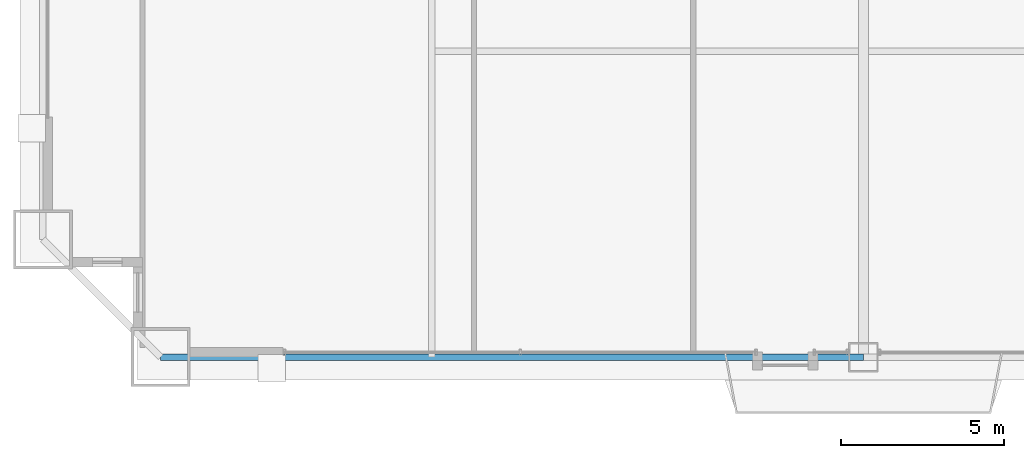
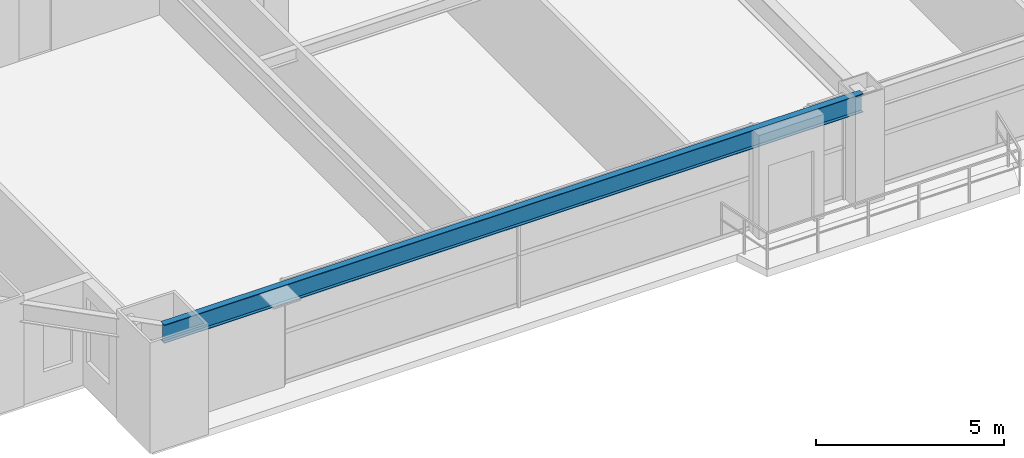
# One storey, part 4 of 45: 1 beam.
"""IFC4 building model written with IfcOpenShell, lengths in metres."""

from ifc_helpers import new_model, si_unit, direction, frame, origin, origin_2d, place, context, subcontext, project, spatial, i_section, extrude, source, transform, mapped, material, material_profile, profile_set, type_object, element, save


model = new_model("IFC4")

# Units and contexts
model_context = context("Model", 3, precision=1e-05, world=origin(), true_north=direction((0.0, 1.0)))
body_context = subcontext(model_context, "Body", "Model", "MODEL_VIEW")
ifc_project = project(units=[si_unit("LENGTHUNIT", "METRE"), si_unit("AREAUNIT", "SQUARE_METRE"), si_unit("VOLUMEUNIT", "CUBIC_METRE"), si_unit("PLANEANGLEUNIT", "RADIAN"), si_unit("MASSUNIT", "GRAM", prefix="KILO"), si_unit("THERMODYNAMICTEMPERATUREUNIT", "KELVIN"), si_unit("POWERUNIT", "WATT")], contexts=[model_context])

# Site, building, storey
site_placement = place(None, origin())
site = spatial("IfcSite", under=ifc_project, at=site_placement, CompositionType="ELEMENT")
building_placement = place(site_placement, origin())
building = spatial("IfcBuilding", under=site, at=building_placement, Name="Yuzanri Waterfront Tower", CompositionType="ELEMENT")
storey_placement = place(building_placement, frame((0.0, 0.0, 49.60009765625)))
storey = spatial("IfcBuildingStorey", under=building, at=storey_placement, Name="L12", CompositionType="ELEMENT", Elevation=49.60009765625)

# Beam
ifc_material = material(Name="Steel Q355B", Category="steel")
ifc_material_profile = material_profile(ifc_material, i_section(OverallWidth=0.199951171875, OverallDepth=0.60009765625, WebThickness=0.010986328125, FlangeThickness=0.01708984375, at=origin_2d()), Name="HN 600x200x11x17")
ifc_profile_set = profile_set([ifc_material_profile], Name="Steel Q355B")
beam_type = type_object("IfcBeamType", Name="Perimeter Spandrel Q355B HN 600x200", PredefinedType="SPANDREL", material=ifc_profile_set)
shared_shape = source(origin(), body_context, "Body", "SweptSolid", [
    extrude(i_section(OverallWidth=0.199951171875, OverallDepth=0.60009765625, WebThickness=0.010986328125, FlangeThickness=0.01708984375, at=origin_2d()), origin(), (0.0, 0.0, 1.0), 21.5),
])
beam_placement = place(storey_placement, frame((15.5, 0.699951171875, 3.079833984375), z_axis=(1.0, 0.0, 0.0), x_axis=(0.0, 1.0, 0.0)))
element("IfcBeam", 1, at=beam_placement, inside=storey, type_object=beam_type, Name="L12 Perimeter Spandrel S1-S2", PredefinedType="SPANDREL", context=body_context, shape_type="MappedRepresentation", body=[
    mapped(shared_shape, transform((0.0, 0.0, 0.0), scale=1.0)),
])

save(model, "model.ifc")
